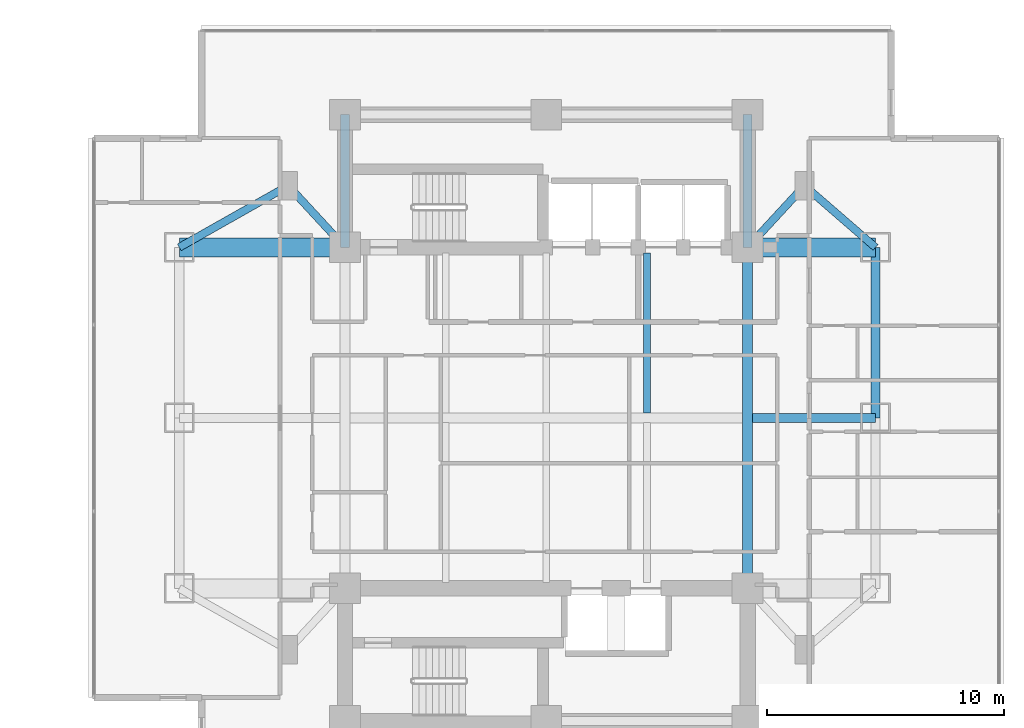
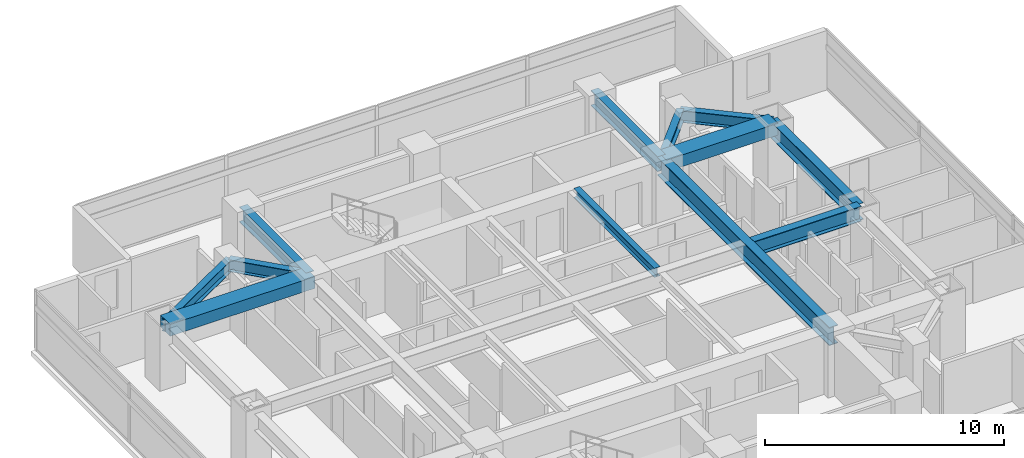
# One storey, part 10 of 27: 12 beams.
"""IFC4 building model written with IfcOpenShell, lengths in metres."""

from ifc_helpers import new_model, si_unit, direction, frame, origin, origin_2d, place, context, subcontext, project, spatial, rectangle, i_section, extrude, material, material_profile, profile_set, type_object, element, save


model = new_model("IFC4")

# Units and contexts
model_context = context("Model", 3, precision=1e-05, world=origin(), true_north=direction((0.0, 1.0)))
body_context = subcontext(model_context, "Body", "Model", "MODEL_VIEW")
ifc_project = project(units=[si_unit("LENGTHUNIT", "METRE"), si_unit("AREAUNIT", "SQUARE_METRE"), si_unit("VOLUMEUNIT", "CUBIC_METRE"), si_unit("PLANEANGLEUNIT", "RADIAN"), si_unit("MASSUNIT", "GRAM", prefix="KILO")], contexts=[model_context])

# Site, building, storey
site_placement = place(None, origin())
site = spatial("IfcSite", under=ifc_project, at=site_placement, CompositionType="ELEMENT")
building_placement = place(site_placement, origin())
building = spatial("IfcBuilding", under=site, at=building_placement, Name="Mirazonda Arch Towers", CompositionType="ELEMENT")
storey_placement = place(building_placement, frame((0.0, 0.0, 75.199951171875)))
storey = spatial("IfcBuildingStorey", under=building, at=storey_placement, Name="L21", CompositionType="ELEMENT", Elevation=75.199951171875)

# Beams
ifc_material_1 = material(Name="Steel ASTM A992 Grade 50", Category="steel")
ifc_material_profile_1 = material_profile(ifc_material_1, i_section(OverallWidth=0.39990234375, OverallDepth=0.85595703125, WebThickness=0.018310546875, FlangeThickness=0.029296875, at=origin_2d()), Name="W33X201")
ifc_profile_set_1 = profile_set([ifc_material_profile_1], Name="Steel ASTM A992 Grade 50")
beam_type_1 = type_object("IfcBeamType", Name="BM-EXT-W33X201", PredefinedType="USERDEFINED", material=ifc_profile_set_1)
beam_1_placement = place(storey_placement, frame((90.39990234375, 28.0, 2.632080078125), z_axis=(0.0, 1.0, 0.0), x_axis=(-1.0, 0.0, 0.0)))
element("IfcBeam", 1, at=beam_1_placement, inside=storey, type_object=beam_type_1, Name="L21 Floor Beam BM-T2-L21-NS-E-28", ObjectType="GIRDER", PredefinedType="USERDEFINED", context=body_context, shape_type="SweptSolid", body=[
    extrude(i_section(OverallWidth=0.39990234375, OverallDepth=0.85595703125, WebThickness=0.018310546875, FlangeThickness=0.029296875, at=origin_2d()), origin(), (0.0, 0.0, 1.0), 7.199951171875),
])
ifc_material_profile_2 = material_profile(ifc_material_1, i_section(OverallWidth=0.280029296875, OverallDepth=0.462890625, WebThickness=0.0107421875, FlangeThickness=0.017333984375, at=origin_2d()), Name="W18X76")
ifc_profile_set_2 = profile_set([ifc_material_profile_2], Name="Steel ASTM A992 Grade 50")
beam_type_2 = type_object("IfcBeamType", Name="BM-INT-W18X76", PredefinedType="JOIST", material=ifc_profile_set_2)
beam_2_placement = place(storey_placement, frame((80.75, 28.205078125, 2.82861328125), z_axis=(0.0, 1.0, 0.0), x_axis=(-1.0, 0.0, 0.0)))
element("IfcBeam", 2, at=beam_2_placement, inside=storey, type_object=beam_type_2, Name="L21 Floor Beam BM-T2-L21-J-807-28", PredefinedType="JOIST", context=body_context, shape_type="SweptSolid", body=[
    extrude(i_section(OverallWidth=0.280029296875, OverallDepth=0.462890625, WebThickness=0.0107421875, FlangeThickness=0.017333984375, at=origin_2d()), origin(), (0.0, 0.0, 1.0), 6.7548828125),
])
ifc_material_profile_3 = material_profile(ifc_material_1, i_section(OverallWidth=0.324951171875, OverallDepth=0.615966796875, WebThickness=0.013916015625, FlangeThickness=0.021484375, at=origin_2d()), Name="W24X117")
ifc_profile_set_3 = profile_set([ifc_material_profile_3], Name="Steel ASTM A992 Grade 50")
beam_type_3 = type_object("IfcBeamType", Name="BM-INT-W24X117", PredefinedType="BEAM", material=ifc_profile_set_3)
beam_3_placement = place(storey_placement, frame((65.60009765625, 37.800048828125, 2.751953125), z_axis=(0.678251444854, -0.734829897019, 0.0), x_axis=(0.734829897019, 0.678251444854, 0.0)))
element("IfcBeam", 3, at=beam_3_placement, inside=storey, type_object=beam_type_3, Name="L21 Floor Beam BM-T2-L21-PL-NW1", PredefinedType="BEAM", context=body_context, shape_type="SweptSolid", body=[
    extrude(i_section(OverallWidth=0.324951171875, OverallDepth=0.615966796875, WebThickness=0.013916015625, FlangeThickness=0.021484375, at=origin_2d()), origin(), (0.0, 0.0, 1.0), 3.538330078125),
])
beam_4_placement = place(storey_placement, frame((65.60009765625, 37.800048828125, 2.751953125), z_axis=(-0.870559396632, -0.492063346467, 0.0), x_axis=(0.492063346467, -0.870559396632, 0.0)))
element("IfcBeam", 4, at=beam_4_placement, inside=storey, type_object=beam_type_3, Name="L21 Floor Beam BM-T2-L21-PL-NW2", PredefinedType="BEAM", context=body_context, shape_type="SweptSolid", body=[
    extrude(i_section(OverallWidth=0.324951171875, OverallDepth=0.615966796875, WebThickness=0.013916015625, FlangeThickness=0.021484375, at=origin_2d()), origin(), (0.0, 0.0, 1.0), 5.2841796875),
])
beam_5_placement = place(storey_placement, frame((87.39990234375, 37.800048828125, 2.751953125), z_axis=(-0.678251444854, -0.734829897019, 0.0), x_axis=(0.734829897019, -0.678251444854, 0.0)))
element("IfcBeam", 5, at=beam_5_placement, inside=storey, type_object=beam_type_3, Name="L21 Floor Beam BM-T2-L21-PL-NE1", PredefinedType="BEAM", context=body_context, shape_type="SweptSolid", body=[
    extrude(i_section(OverallWidth=0.324951171875, OverallDepth=0.615966796875, WebThickness=0.013916015625, FlangeThickness=0.021484375, at=origin_2d()), origin(), (0.0, 0.0, 1.0), 3.538330078125),
])
beam_6_placement = place(storey_placement, frame((87.39990234375, 37.800048828125, 2.751953125), z_axis=(0.755676908098, -0.654944585876, 0.0), x_axis=(0.654944585876, 0.755676908098, 0.0)))
element("IfcBeam", 6, at=beam_6_placement, inside=storey, type_object=beam_type_3, Name="L21 Floor Beam BM-T2-L21-PL-NE2", PredefinedType="BEAM", context=body_context, shape_type="SweptSolid", body=[
    extrude(i_section(OverallWidth=0.324951171875, OverallDepth=0.615966796875, WebThickness=0.013916015625, FlangeThickness=0.021484375, at=origin_2d()), origin(), (0.0, 0.0, 1.0), 3.969970703125),
])
ifc_material_profile_4 = material_profile(ifc_material_1, i_section(OverallWidth=0.381103515625, OverallDepth=0.77294921875, WebThickness=0.0166015625, FlangeThickness=0.027099609375, at=origin_2d()), Name="W30X173")
ifc_profile_set_4 = profile_set([ifc_material_profile_4], Name="Steel ASTM A992 Grade 50")
beam_type_4 = type_object("IfcBeamType", Name="BM-INT-W30X173", PredefinedType="USERDEFINED", material=ifc_profile_set_4)
for number, where, z_axis, x_axis, name in (
    (7, (68.0, 35.199951171875, 2.673583984375), (0.0, 1.0, 0.0), (-1.0, 0.0, 0.0), "L21 Floor Beam BM-T2-L21-CNW"),
    (8, (85.0, 35.199951171875, 2.673583984375), (0.0, 1.0, 0.0), (-1.0, 0.0, 0.0), "L21 Floor Beam BM-T2-L21-CNE"),
):
    element("IfcBeam", number, at=place(storey_placement, frame(where, z_axis=z_axis, x_axis=x_axis)), inside=storey, type_object=beam_type_4, Name=name, ObjectType="GIRDER", PredefinedType="USERDEFINED", context=body_context, shape_type="SweptSolid", body=[
        extrude(i_section(OverallWidth=0.381103515625, OverallDepth=0.77294921875, WebThickness=0.0166015625, FlangeThickness=0.027099609375, at=origin_2d()), origin(), (0.0, 0.0, 1.0), 5.60009765625),
    ])
beam_7_placement = place(storey_placement, frame((85.208984375, 28.0, 2.673583984375), z_axis=(1.0, 0.0, 0.0), x_axis=(0.0, 1.0, 0.0)))
element("IfcBeam", 9, at=beam_7_placement, inside=storey, type_object=beam_type_4, Name="L21 Floor Beam BM-T2-L21-GE2", ObjectType="GIRDER", PredefinedType="USERDEFINED", context=body_context, shape_type="SweptSolid", body=[
    extrude(i_section(OverallWidth=0.381103515625, OverallDepth=0.77294921875, WebThickness=0.0166015625, FlangeThickness=0.027099609375, at=origin_2d()), origin(), (0.0, 0.0, 1.0), 5.19091796875),
])
ifc_material_profile_5 = material_profile(ifc_material_1, i_section(OverallWidth=0.41796875, OverallDepth=0.927001953125, WebThickness=0.019287109375, FlangeThickness=0.031982421875, at=origin_2d()), Name="W36X231")
ifc_profile_set_5 = profile_set([ifc_material_profile_5], Name="Steel ASTM A992 Grade 50")
beam_type_5 = type_object("IfcBeamType", Name="BM-INT-W36X231", PredefinedType="USERDEFINED", material=ifc_profile_set_5)
beam_8_placement = place(storey_placement, frame((85.0, 20.800048828125, 2.596435546875), z_axis=(0.0, 1.0, 0.0), x_axis=(-1.0, 0.0, 0.0)))
element("IfcBeam", 10, at=beam_8_placement, inside=storey, type_object=beam_type_5, Name="L21 Floor Beam BM-T2-L21-NS-CE-FULL", ObjectType="GIRDER", PredefinedType="USERDEFINED", context=body_context, shape_type="SweptSolid", body=[
    extrude(i_section(OverallWidth=0.41796875, OverallDepth=0.927001953125, WebThickness=0.019287109375, FlangeThickness=0.031982421875, at=origin_2d()), origin(), (0.0, 0.0, 1.0), 14.39990234375),
])
ifc_material_2 = material(Name="Concrete C60/75", Category="concrete")
ifc_material_profile_6 = material_profile(ifc_material_2, rectangle(XDim=0.800048828125, YDim=0.60009765625, at=origin_2d()), Name="RCCB800x600")
ifc_profile_set_6 = profile_set([ifc_material_profile_6], Name="Concrete C60/75")
beam_type_6 = type_object("IfcBeamType", Name="CB-INT-RCCB800x600", PredefinedType="SPANDREL", material=ifc_profile_set_6)
beam_9_placement = place(storey_placement, frame((61.0, 35.199951171875, 2.760009765625), z_axis=(1.0, 0.0, 0.0), x_axis=(0.0, 1.0, 0.0)))
element("IfcBeam", 11, at=beam_9_placement, inside=storey, type_object=beam_type_6, Name="L21 Floor Beam CBC-T2-L21-NW", PredefinedType="SPANDREL", context=body_context, shape_type="SweptSolid", body=[
    extrude(rectangle(XDim=0.800048828125, YDim=0.60009765625, at=origin_2d()), origin(), (0.0, 0.0, 1.0), 7.0),
])
beam_10_placement = place(storey_placement, frame((85.0, 35.199951171875, 2.760009765625), z_axis=(1.0, 0.0, 0.0), x_axis=(0.0, 1.0, 0.0)))
element("IfcBeam", 12, at=beam_10_placement, inside=storey, type_object=beam_type_6, Name="L21 Floor Beam CBC-T2-L21-NE", PredefinedType="SPANDREL", context=body_context, shape_type="SweptSolid", body=[
    extrude(rectangle(XDim=0.800048828125, YDim=0.60009765625, at=origin_2d()), origin(), (0.0, 0.0, 1.0), 5.39990234375),
])

save(model, "model.ifc")
